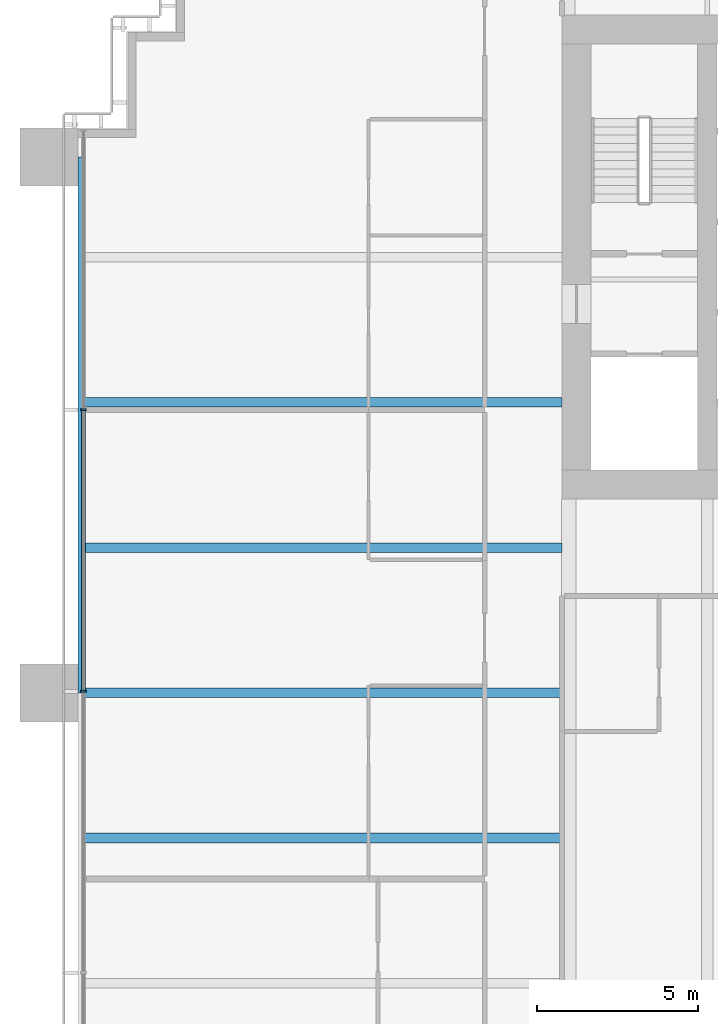
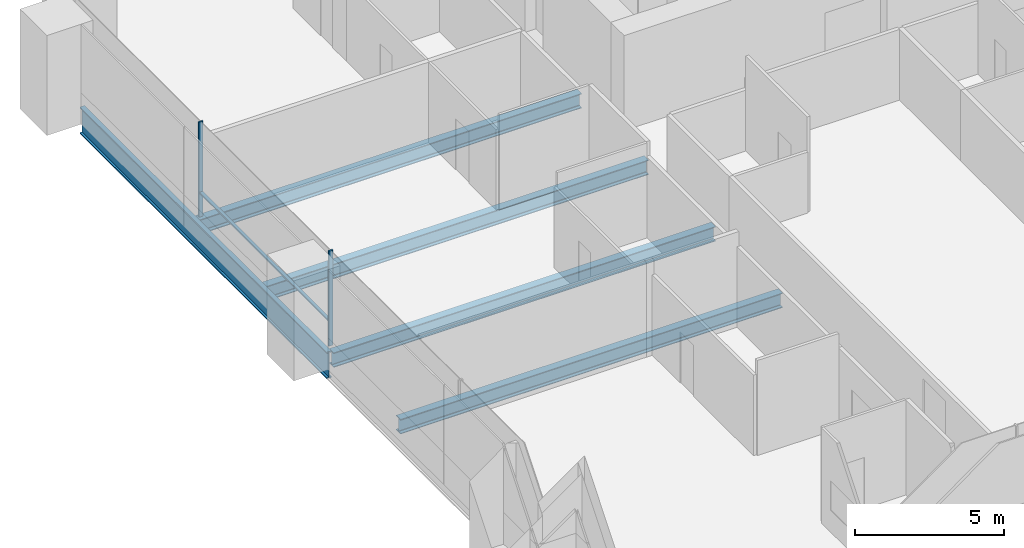
# One storey, part 4 of 19: 5 beams, 3 members, 1 element without a shape of its own.
"""IFC4 building model written with IfcOpenShell, lengths in metres."""

from ifc_helpers import new_model, si_unit, direction, frame, origin, origin_2d, place, context, subcontext, project, spatial, rectangle, i_section, extrude, material, material_profile, profile_set, type_object, element, aggregate, save


model = new_model("IFC4")

# Units and contexts
model_context = context("Model", 3, precision=1e-05, world=origin(), true_north=direction((0.0, 1.0)))
body_context = subcontext(model_context, "Body", "Model", "MODEL_VIEW")
ifc_project = project(units=[si_unit("LENGTHUNIT", "METRE"), si_unit("AREAUNIT", "SQUARE_METRE"), si_unit("VOLUMEUNIT", "CUBIC_METRE"), si_unit("PLANEANGLEUNIT", "RADIAN"), si_unit("MASSUNIT", "GRAM", prefix="KILO")], contexts=[model_context])

# Site, building, storey
site_placement = place(None, origin())
site = spatial("IfcSite", under=ifc_project, at=site_placement, CompositionType="ELEMENT")
building_placement = place(site_placement, origin())
building = spatial("IfcBuilding", under=site, at=building_placement, Name="Rattan Terrace Tower", CompositionType="ELEMENT")
storey_placement = place(building_placement, frame((0.0, 0.0, 65.199951171875)))
storey = spatial("IfcBuildingStorey", under=building, at=storey_placement, Name="L14", CompositionType="ELEMENT", Elevation=65.199951171875)

# Curtain wall, members
ifc_material_1 = material(Name="Aluminium and glass", Category="aluminium")
curtain_wall_type = type_object("IfcCurtainWallType", Name="Facade Unitised Curtain Wall", PredefinedType="NOTDEFINED", material=ifc_material_1)
curtain_wall_placement = place(storey_placement, origin())
curtain_wall = element("IfcCurtainWall", 1, at=curtain_wall_placement, inside=storey, type_object=curtain_wall_type, Name="Curtain wall L14-3", PredefinedType="NOTDEFINED")
ifc_material_2 = material(Name="Aluminium", Category="aluminium")
ifc_material_profile_1 = material_profile(ifc_material_2, rectangle(XDim=0.06005859375, YDim=0.159912109375, at=origin_2d()), Name="Aluminium 60x160")
ifc_profile_set_1 = profile_set([ifc_material_profile_1], Name="Aluminium")
member_type_1 = type_object("IfcMemberType", Name="Facade CW Mullion 60x160", PredefinedType="MULLION", material=ifc_profile_set_1)
member_1_placement = place(storey_placement, frame((-32.830078125, -4.72705078125, 0.0), z_axis=(0.0, 0.0, 1.0), x_axis=(0.0, -1.0, 0.0)))
member_1 = element("IfcMember", 2, at=member_1_placement, type_object=member_type_1, Name="Mullion cwl-L14-003.2", PredefinedType="MULLION", context=body_context, shape_type="SweptSolid", body=[
    extrude(rectangle(XDim=0.06005859375, YDim=0.159912109375, at=origin_2d()), origin(), (0.0, 0.0, 1.0), 3.900146484375),
])
member_2_placement = place(storey_placement, frame((-32.830078125, -13.4541015625, 0.0), z_axis=(0.0, 0.0, 1.0), x_axis=(0.0, -1.0, 0.0)))
member_2 = element("IfcMember", 3, at=member_2_placement, type_object=member_type_1, Name="Mullion cwl-L14-003.3", PredefinedType="MULLION", context=body_context, shape_type="SweptSolid", body=[
    extrude(rectangle(XDim=0.06005859375, YDim=0.159912109375, at=origin_2d()), origin(), (0.0, 0.0, 1.0), 3.900146484375),
])
ifc_material_3 = material(Name="Aluminium", Category="aluminium")
ifc_material_profile_2 = material_profile(ifc_material_3, rectangle(XDim=0.1201171875, YDim=0.06005859375, at=origin_2d()), Name="Aluminium 120x60")
ifc_profile_set_2 = profile_set([ifc_material_profile_2], Name="Aluminium")
member_type_2 = type_object("IfcMemberType", Name="Facade CW Transom 120x60", PredefinedType="USERDEFINED", material=ifc_profile_set_2)
member_3_placement = place(storey_placement, frame((-32.830078125, -4.757080078125, 1.0), z_axis=(0.0, -1.0, 0.0), x_axis=(1.0, 0.0, 0.0)))
member_3 = element("IfcMember", 4, at=member_3_placement, type_object=member_type_2, Name="Transom cwl-L14-003.2", ObjectType="TRANSOM", PredefinedType="USERDEFINED", context=body_context, shape_type="SweptSolid", body=[
    extrude(rectangle(XDim=0.1201171875, YDim=0.06005859375, at=origin_2d()), origin(), (0.0, 0.0, 1.0), 8.6669921875),
])
aggregate(curtain_wall, [member_1, member_2, member_3])

# Beams
ifc_material_4 = material(Name="Steel S460", Category="steel")
ifc_material_profile_3 = material_profile(ifc_material_4, i_section(OverallWidth=0.179931640625, OverallDepth=1.10009765625, WebThickness=0.01611328125, FlangeThickness=0.050048828125, at=origin_2d()), Name="PG 1100x180-16-50")
ifc_profile_set_3 = profile_set([ifc_material_profile_3], Name="Steel S460")
beam_type_1 = type_object("IfcBeamType", Name="Frame edge girder PG 1100x180-16-50", PredefinedType="SPANDREL", material=ifc_profile_set_3)
beam_placement = place(storey_placement, frame((-32.909912109375, 3.10009765625, -0.75), z_axis=(0.0, -1.0, 0.0), x_axis=(1.0, 0.0, 0.0)))
element("IfcBeam", 5, at=beam_placement, inside=storey, type_object=beam_type_1, Name="gdr-L14-008", PredefinedType="SPANDREL", context=body_context, shape_type="SweptSolid", body=[
    extrude(i_section(OverallWidth=0.179931640625, OverallDepth=1.10009765625, WebThickness=0.01611328125, FlangeThickness=0.050048828125, at=origin_2d()), origin(), (0.0, 0.0, 1.0), 16.60009765625),
])
ifc_material_5 = material(Name="Steel S355", Category="steel")
ifc_material_profile_4 = material_profile(ifc_material_5, i_section(OverallWidth=0.300048828125, OverallDepth=0.60009765625, WebThickness=0.015380859375, FlangeThickness=0.030029296875, FilletRadius=0.027099609375, at=origin_2d()), Name="HE 600 B")
ifc_profile_set_4 = profile_set([ifc_material_profile_4], Name="Steel S355")
beam_type_2 = type_object("IfcBeamType", Name="Frame floor beam HE 600 B", PredefinedType="JOIST", material=ifc_profile_set_4)
for number, where, z_axis, x_axis, name in (
    (6, (-32.820068359375, -18.0, -0.5), (1.0, 0.0, 0.0), (0.0, 1.0, 0.0), "bm-L14-014"),
    (7, (-32.820068359375, -13.5, -0.5), (1.0, 0.0, 0.0), (0.0, 1.0, 0.0), "bm-L14-016"),
    (8, (-32.820068359375, -9.0, -0.5), (1.0, 0.0, 0.0), (0.0, 1.0, 0.0), "bm-L14-018"),
    (9, (-32.820068359375, -4.5, -0.5), (1.0, 0.0, 0.0), (0.0, 1.0, 0.0), "bm-L14-020"),
):
    element("IfcBeam", number, at=place(storey_placement, frame(where, z_axis=z_axis, x_axis=x_axis)), inside=storey, type_object=beam_type_2, Name=name, PredefinedType="JOIST", context=body_context, shape_type="SweptSolid", body=[
        extrude(i_section(OverallWidth=0.300048828125, OverallDepth=0.60009765625, WebThickness=0.015380859375, FlangeThickness=0.030029296875, FilletRadius=0.027099609375, at=origin_2d()), origin(), (0.0, 0.0, 1.0), 14.820068359375),
    ])

save(model, "model.ifc")
